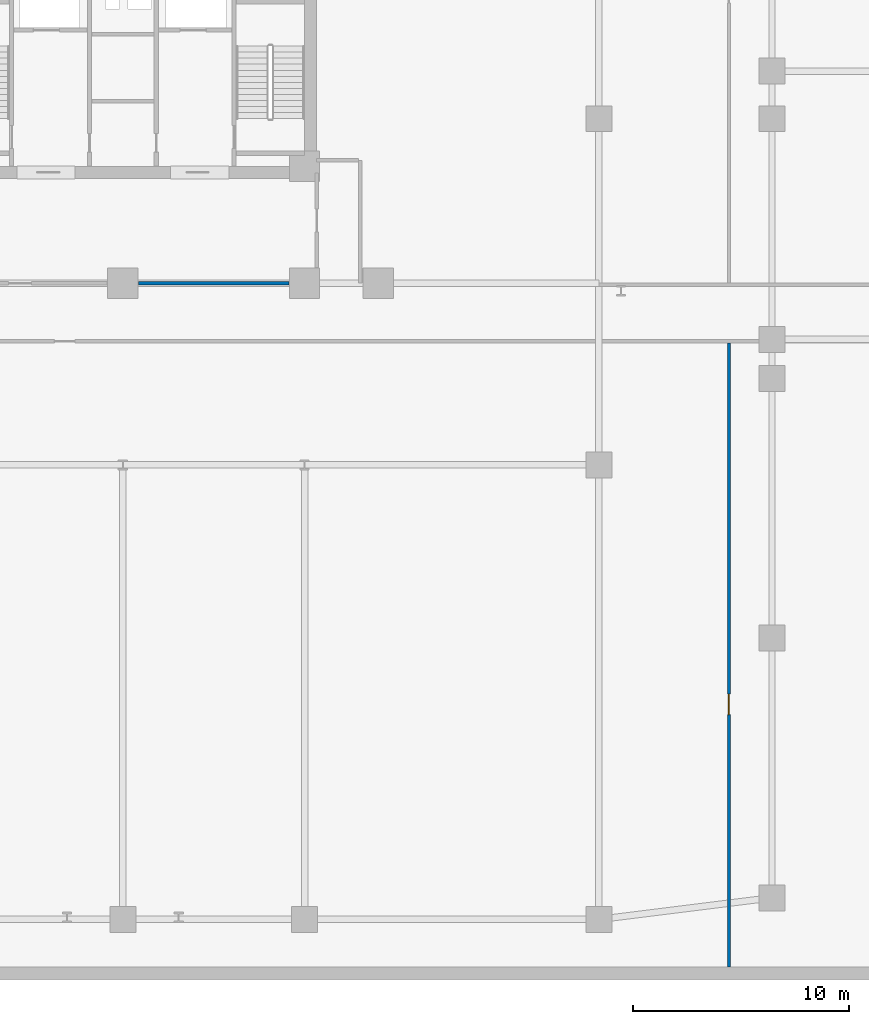
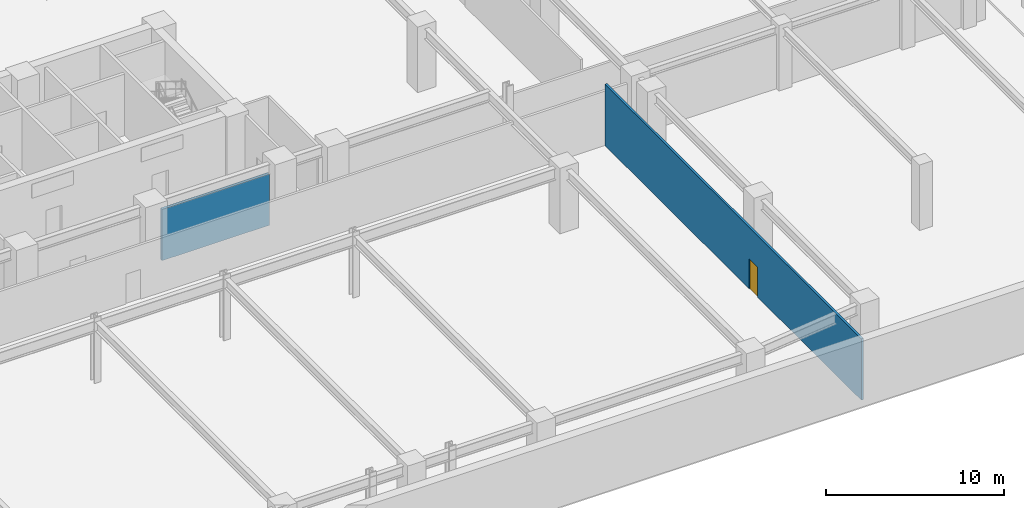
# One storey, part 7 of 15: 2 walls, 1 door, 1 opening.
"""IFC4 building model written with IfcOpenShell, lengths in metres."""

from ifc_helpers import new_model, si_unit, derived_unit, direction, frame, frame_2d, origin, place, context, subcontext, project, spatial, rectangle, extrude, material, layer, layer_set, type_object, element, fill, save


model = new_model("IFC4")

# Units and contexts
model_context = context("Model", 3, precision=1e-05, world=origin(), true_north=direction((0.0, 1.0)))
body_context = subcontext(model_context, "Body", "Model", "MODEL_VIEW")
ifc_project = project(units=[si_unit("LENGTHUNIT", "METRE"), si_unit("AREAUNIT", "SQUARE_METRE"), si_unit("VOLUMEUNIT", "CUBIC_METRE"), si_unit("PLANEANGLEUNIT", "RADIAN"), si_unit("MASSUNIT", "GRAM", prefix="KILO"), derived_unit("THERMALTRANSMITTANCEUNIT", [(si_unit("POWERUNIT", "WATT"), 1), (si_unit("LENGTHUNIT", "METRE"), -2), (si_unit("THERMODYNAMICTEMPERATUREUNIT", "KELVIN"), -1)])], contexts=[model_context])

# Site, building, storey
site_placement = place(None, origin())
site = spatial("IfcSite", under=ifc_project, at=site_placement, CompositionType="ELEMENT")
building_placement = place(site_placement, origin())
building = spatial("IfcBuilding", under=site, at=building_placement, Name="Korsvarv Bourse and Concert Hall", CompositionType="ELEMENT")
storey_placement = place(building_placement, frame((0.0, 0.0, -4.5)))
storey = spatial("IfcBuildingStorey", under=building, at=storey_placement, Name="B01", CompositionType="ELEMENT", Elevation=-4.5)

# Wall
ifc_material_1 = material(Name="Gypsum-clad autoclaved concrete shaft wall C30/37", Category="concrete")
ifc_layer_1 = layer(ifc_material_1, 0.179931640625)
ifc_layer_set_1 = layer_set([ifc_layer_1], Name="Gypsum-clad autoclaved concrete shaft wall C30/37")
wall_type_1 = type_object("IfcWallType", Name="WL-INT-EI90", PredefinedType="PARTITIONING", material=ifc_layer_set_1)
wall_1_placement = place(storey_placement, frame((36.719970703125, 32.39990234375, 0.0), z_axis=(0.0, 0.0, 1.0), x_axis=(1.0, 0.0, 0.0)))
element("IfcWall", 1, at=wall_1_placement, inside=storey, type_object=wall_type_1, Name="B01 interior partition wall W-B01-CB-SE", PredefinedType="PARTITIONING", context=body_context, shape_type="SweptSolid", body=[
    extrude(rectangle(XDim=6.9599609375, YDim=0.179931640625, at=frame_2d((3.47998046875, 0.0))), origin(), (0.0, 0.0, 1.0), 3.52001953125),
])

# Wall, opening, door
ifc_material_2 = material(Name="Insulated steel-stud office acoustic partition", Category="gypsum")
ifc_layer_2 = layer(ifc_material_2, 0.139892578125)
ifc_layer_set_2 = layer_set([ifc_layer_2], Name="Insulated steel-stud office acoustic partition")
wall_type_2 = type_object("IfcWallType", Name="WL-INT-P1", PredefinedType="PARTITIONING", material=ifc_layer_set_2)
wall_2_placement = place(storey_placement, frame((64.0048828125, 0.802001953125, 0.0), z_axis=(0.0, 0.0, 1.0), x_axis=(0.0, 1.0, 0.0)))
wall_2 = element("IfcWall", 2, at=wall_2_placement, inside=storey, type_object=wall_type_2, Name="B01 interior partition wall W-B01-BCOR-13", PredefinedType="PARTITIONING", context=body_context, shape_type="SweptSolid", body=[
    extrude(rectangle(XDim=28.841064453125, YDim=0.139892578125, at=frame_2d((14.42041015625, 0.0))), origin(), (0.0, 0.0, 1.0), 4.219970703125),
])
opening_placement = place(wall_2_placement, frame((11.656494140625, 0.0, 0.0)))
opening = element("IfcOpeningElement", 3, at=opening_placement, cuts=wall_2, Name="Opening D-03", PredefinedType="OPENING", context=body_context, shape_type="SweptSolid", body=[
    extrude(rectangle(XDim=0.949951171875, YDim=2.050048828125, at=frame_2d((0.47509765625, 1.02490234375))), frame((0.0, 0.080078125, 0.0), z_axis=(0.0, -1.0, 0.0), x_axis=(1.0, 0.0, 0.0)), (0.0, 0.0, 1.0), 0.159912109375),
])
ifc_material_3 = material(Name="Nordic oak acoustic office door", Category="wood")
door_type = type_object("IfcDoorType", Name="DR-INT-1", OperationType="NOTDEFINED", PredefinedType="DOOR", material=ifc_material_3)
door_placement = place(opening_placement, origin())
door = element("IfcDoor", 4, at=door_placement, inside=storey, type_object=door_type, Name="B01 interior door DR-B01-BCOR-CYC12", OperationType="SINGLE_SWING_LEFT", OverallHeight=2.050048828125, OverallWidth=0.949951171875, PredefinedType="DOOR", context=body_context, shape_type="SweptSolid", body=[
    extrude(rectangle(XDim=0.949951171875, YDim=2.050048828125, at=frame_2d((0.47509765625, 1.02490234375))), frame((0.0, 0.02490234375, 0.0), z_axis=(0.0, -1.0, 0.0), x_axis=(1.0, 0.0, 0.0)), (0.0, 0.0, 1.0), 0.050048828125),
])
fill(opening, door)

save(model, "model.ifc")
